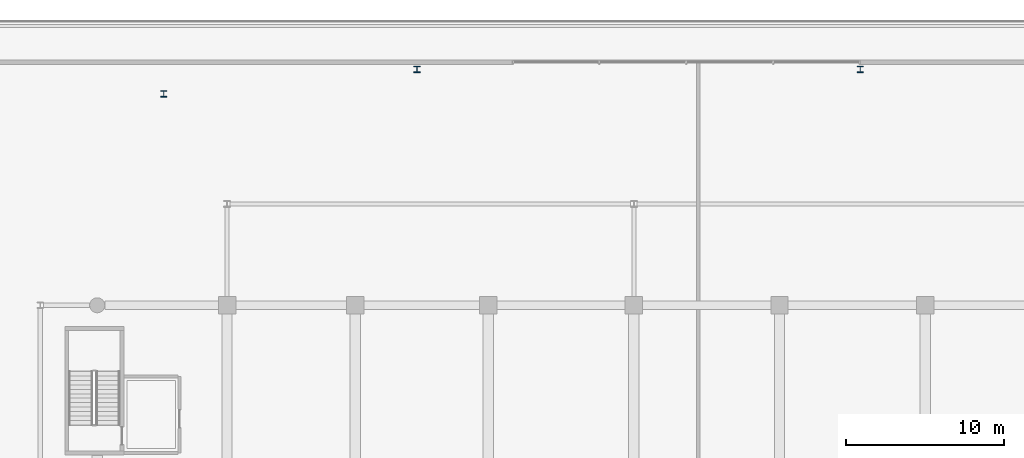
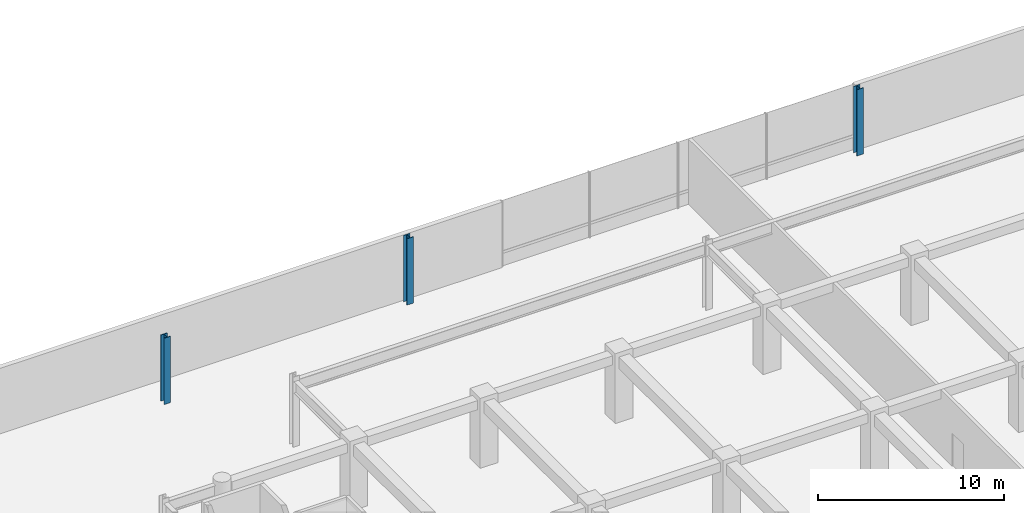
# One storey, part 5 of 45: 3 columns.
"""IFC4 building model written with IfcOpenShell, lengths in metres."""

from ifc_helpers import new_model, si_unit, direction, frame, origin, origin_2d, place, context, subcontext, project, spatial, i_section, extrude, material, material_profile, profile_set, type_object, element, save


model = new_model("IFC4")

# Units and contexts
model_context = context("Model", 3, precision=1e-05, world=origin(), true_north=direction((0.0, 1.0)))
body_context = subcontext(model_context, "Body", "Model", "MODEL_VIEW")
ifc_project = project(units=[si_unit("LENGTHUNIT", "METRE"), si_unit("AREAUNIT", "SQUARE_METRE"), si_unit("VOLUMEUNIT", "CUBIC_METRE"), si_unit("PLANEANGLEUNIT", "RADIAN"), si_unit("MASSUNIT", "GRAM", prefix="KILO")], contexts=[model_context])

# Site, building, storey
site_placement = place(None, origin())
site = spatial("IfcSite", under=ifc_project, at=site_placement, CompositionType="ELEMENT")
building_placement = place(site_placement, origin())
building = spatial("IfcBuilding", under=site, at=building_placement, Name="Korimba Cascade Residences", CompositionType="ELEMENT")
storey_placement = place(building_placement, frame((0.0, 0.0, 5.39990234375)))
storey = spatial("IfcBuildingStorey", under=building, at=storey_placement, Name="L01", CompositionType="ELEMENT", Elevation=5.39990234375)

# Columns
ifc_material = material(Name="Steel S355", Category="steel")
ifc_material_profile = material_profile(ifc_material, i_section(OverallWidth=0.39892578125, OverallDepth=0.3935546875, WebThickness=0.022705078125, FlangeThickness=0.03662109375, FilletRadius=0.01513671875, at=origin_2d()), Name="Steel S355")
ifc_profile_set = profile_set([ifc_material_profile], Name="Steel S355")
column_type = type_object("IfcColumnType", Name="COL-STL-UC287", PredefinedType="COLUMN", material=ifc_profile_set)
for number, where, z_axis, x_axis, name in (
    (1, (80.0, 106.10009765625, 0.0), (0.0, 0.0, 1.0), (1.0, 0.0, 0.0), "L01 Podium Column PTN1"),
    (2, (108.0, 106.10009765625, 0.0), (0.0, 0.0, 1.0), (1.0, 0.0, 0.0), "L01 Podium Column PTN2"),
    (3, (64.0, 104.550048828125, 0.0), (0.0, 0.0, 1.0), (1.0, 0.0, 0.0), "L01 Podium Column PTN3"),
):
    element("IfcColumn", number, at=place(storey_placement, frame(where, z_axis=z_axis, x_axis=x_axis)), inside=storey, type_object=column_type, Name=name, PredefinedType="COLUMN", context=body_context, shape_type="SweptSolid", body=[
        extrude(i_section(OverallWidth=0.39892578125, OverallDepth=0.3935546875, WebThickness=0.022705078125, FlangeThickness=0.03662109375, FilletRadius=0.01513671875, at=origin_2d()), origin(), (0.0, 0.0, 1.0), 4.360107421875),
    ])

save(model, "model.ifc")
